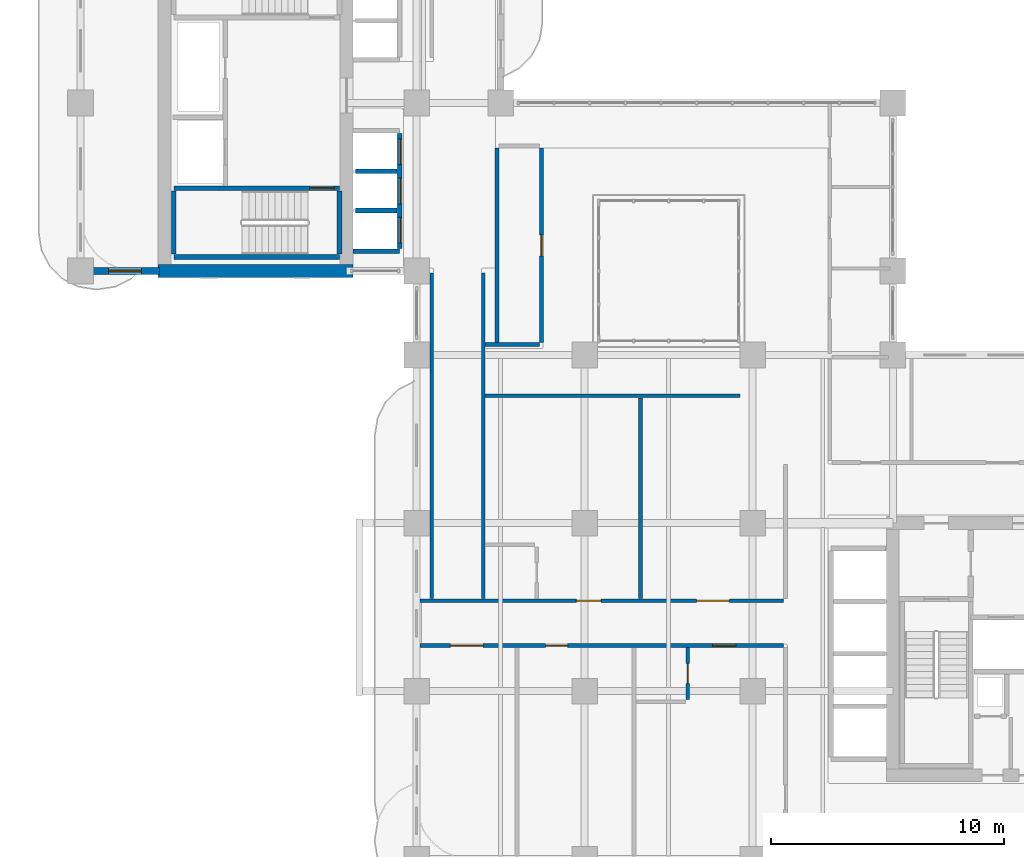
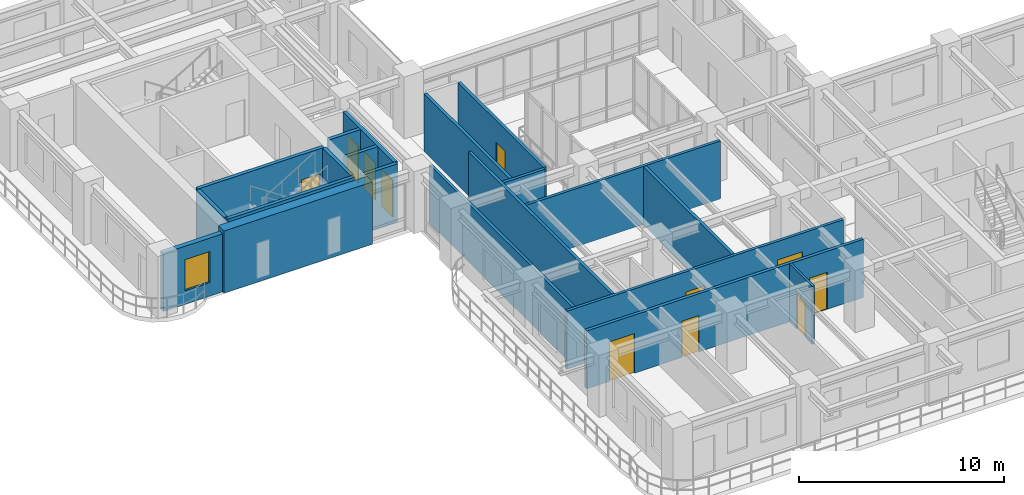
# One storey, part 12 of 22: 20 walls, 11 doors, 1 window, 12 openings.
"""IFC4 building model written with IfcOpenShell, lengths in metres."""

from ifc_helpers import new_model, si_unit, derived_unit, direction, frame, frame_2d, origin, place, context, subcontext, project, spatial, rectangle, extrude, source, transform, mapped, material, layer, layer_set, type_object, type_shapes, element, fill, save


model = new_model("IFC4")

# Units and contexts
model_context = context("Model", 3, precision=1e-05, world=origin(), true_north=direction((0.0, 1.0)))
body_context = subcontext(model_context, "Body", "Model", "MODEL_VIEW")
ifc_project = project(units=[si_unit("LENGTHUNIT", "METRE"), si_unit("AREAUNIT", "SQUARE_METRE"), si_unit("VOLUMEUNIT", "CUBIC_METRE"), si_unit("PLANEANGLEUNIT", "RADIAN"), si_unit("MASSUNIT", "GRAM", prefix="KILO"), si_unit("THERMODYNAMICTEMPERATUREUNIT", "KELVIN"), si_unit("POWERUNIT", "WATT"), derived_unit("THERMALTRANSMITTANCEUNIT", [(si_unit("POWERUNIT", "WATT"), 1), (si_unit("AREAUNIT", "SQUARE_METRE"), -1), (si_unit("THERMODYNAMICTEMPERATUREUNIT", "KELVIN"), -1)])], contexts=[model_context])

# Site, building, storey
site_placement = place(None, origin())
site = spatial("IfcSite", under=ifc_project, at=site_placement, CompositionType="ELEMENT")
building_placement = place(site_placement, origin())
building = spatial("IfcBuilding", under=site, at=building_placement, Name="Zahravan Archway Hotel and Residences", CompositionType="ELEMENT")
storey_placement = place(building_placement, frame((0.0, 0.0, 95.300048828125)))
storey = spatial("IfcBuildingStorey", under=building, at=storey_placement, Name="L23", CompositionType="ELEMENT", Elevation=95.300048828125)

# Wall
ifc_material_1 = material(Name="Concrete C70/85", Category="concrete")
ifc_layer_1 = layer(ifc_material_1, 0.550048828125, Name="Concrete C70/85", Category="concrete")
ifc_layer_set_1 = layer_set([ifc_layer_1], Name="Concrete C70/85")
wall_type_1 = type_object("IfcWallType", Name="CW-CORE-550", PredefinedType="SHEAR", material=ifc_layer_set_1)
wall_1_placement = place(storey_placement, frame((3.324951171875, 25.199951171875, 0.0), z_axis=(0.0, 0.0, 1.0), x_axis=(1.0, 0.0, 0.0)))
element("IfcWall", 1, at=wall_1_placement, inside=storey, type_object=wall_type_1, Name="L23 Core B Shear S Wall 550 mm", PredefinedType="SHEAR", context=body_context, shape_type="SweptSolid", body=[
    extrude(rectangle(XDim=8.35009765625, YDim=0.550048828125, at=frame_2d((4.175048828125, 0.0))), origin(), (0.0, 0.0, 1.0), 3.699951171875),
])

# Wall, opening, window
ifc_material_2 = material(Name="Honed Red-Ochre Sandstone & Insulated Block", Category="masonry")
ifc_layer_2 = layer(ifc_material_2, 0.280029296875, Name="Honed Red-Ochre Sandstone & Insulated Block", Category="masonry")
ifc_layer_set_2 = layer_set([ifc_layer_2], Name="Honed Red-Ochre Sandstone & Insulated Block")
wall_type_2 = type_object("IfcWallType", Name="EW-LOG-280", PredefinedType="SOLIDWALL", material=ifc_layer_set_2)
wall_2_placement = place(storey_placement, frame((0.0, 25.199951171875, 0.0), z_axis=(0.0, 0.0, 1.0), x_axis=(1.0, 0.0, 0.0)))
wall_2 = element("IfcWall", 2, at=wall_2_placement, inside=storey, type_object=wall_type_2, Name="L23 Exterior Sandstone Wall WB-SW", PredefinedType="SOLIDWALL", context=body_context, shape_type="SweptSolid", body=[
    extrude(rectangle(XDim=3.3798828125, YDim=0.280029296875, at=frame_2d((1.68994140625, 0.0))), origin(), (0.0, 0.0, 1.0), 3.449951171875),
])
opening_1_placement = place(wall_2_placement, frame((1.205078125, 0.0, 0.800048828125)))
opening_1 = element("IfcOpeningElement", 3, at=opening_1_placement, cuts=wall_2, Name="Opening W-03", PredefinedType="OPENING", context=body_context, shape_type="SweptSolid", body=[
    extrude(rectangle(XDim=1.39990234375, YDim=1.85009765625, at=frame_2d((0.699951171875, 0.925048828125))), frame((0.0, 0.14990234375, 0.0), z_axis=(0.0, -1.0, 0.0), x_axis=(1.0, 0.0, 0.0)), (0.0, 0.0, 1.0), 0.300048828125),
])
ifc_material_3 = material(Name="Bronze-Anodized Thermal-Break Aluminium & Low-E Glass", Category="aluminium")
window_type = type_object("IfcWindowType", Name="WIN-TWR-1400", PartitioningType="SINGLE_PANEL", PredefinedType="WINDOW", material=ifc_material_3)
shared_shape_1 = source(origin(), body_context, "Body", "SweptSolid", [
    extrude(rectangle(XDim=1.39990234375, YDim=1.85009765625, at=frame_2d((0.699951171875, 0.925048828125))), frame((0.0, 0.030029296875, 0.0), z_axis=(0.0, -1.0, 0.0), x_axis=(1.0, 0.0, 0.0)), (0.0, 0.0, 1.0), 0.06005859375),
])
type_shapes(window_type, [shared_shape_1])
window_placement = place(opening_1_placement, origin())
window = element("IfcWindow", 4, at=window_placement, inside=storey, type_object=window_type, Name="L23 Loggia Window 29", OverallHeight=1.85009765625, OverallWidth=1.39990234375, PartitioningType="SINGLE_PANEL", PredefinedType="WINDOW", context=body_context, shape_type="MappedRepresentation", body=[
    mapped(shared_shape_1, transform((0.0, 0.0, 0.0), scale=1.0)),
])
fill(opening_1, window)

# Wall, openings, doors
ifc_material_4 = material(Name="Fire-Rated Gypsum & Concrete Block", Category="concrete")
ifc_layer_3 = layer(ifc_material_4, 0.159912109375, Name="Fire-Rated Gypsum & Concrete Block", Category="concrete")
ifc_layer_set_3 = layer_set([ifc_layer_3], Name="Fire-Rated Gypsum & Concrete Block")
wall_type_3 = type_object("IfcWallType", Name="PW-CORR-160", PredefinedType="PARTITIONING", material=ifc_layer_set_3)
wall_3_placement = place(storey_placement, frame((14.548095703125, 11.070068359375, 0.0), z_axis=(0.0, 0.0, 1.0), x_axis=(1.0, 0.0, 0.0)))
wall_3 = element("IfcWall", 5, at=wall_3_placement, inside=storey, type_object=wall_type_3, Name="L23 Partition WA-CN", PredefinedType="PARTITIONING", context=body_context, shape_type="SweptSolid", body=[
    extrude(rectangle(XDim=15.56201171875, YDim=0.159912109375, at=frame_2d((7.781005859375, 0.0))), origin(), (0.0, 0.0, 1.0), 3.449951171875),
])
opening_2_placement = place(wall_3_placement, frame((6.701904296875, 0.0, 0.0)))
opening_2 = element("IfcOpeningElement", 6, at=opening_2_placement, cuts=wall_3, Name="Opening D-U1", PredefinedType="OPENING", context=body_context, shape_type="SweptSolid", body=[
    extrude(rectangle(XDim=1.050048828125, YDim=2.25, at=frame_2d((0.52490234375, 1.125))), frame((0.0, 0.08984375, 0.0), z_axis=(0.0, -1.0, 0.0), x_axis=(1.0, 0.0, 0.0)), (0.0, 0.0, 1.0), 0.179931640625),
])
opening_3_placement = place(wall_3_placement, frame((11.85205078125, 0.0, 0.0)))
opening_3 = element("IfcOpeningElement", 7, at=opening_3_placement, cuts=wall_3, Name="Opening D-P1", PredefinedType="OPENING", context=body_context, shape_type="SweptSolid", body=[
    extrude(rectangle(XDim=1.39990234375, YDim=2.35009765625, at=frame_2d((0.699951171875, 1.175048828125))), frame((0.0, 0.08984375, 0.0), z_axis=(0.0, -1.0, 0.0), x_axis=(1.0, 0.0, 0.0)), (0.0, 0.0, 1.0), 0.179931640625),
])
ifc_material_5 = material(Name="Bronze-Anodized Glazed Aluminium", Category="aluminium")
door_type_1 = type_object("IfcDoorType", Name="ID-PUBLIC-1400", OperationType="DOUBLE_DOOR_SINGLE_SWING", PredefinedType="DOOR", material=ifc_material_5)
shared_shape_2 = source(origin(), body_context, "Body", "SweptSolid", [
    extrude(rectangle(XDim=1.39990234375, YDim=2.35009765625, at=frame_2d((0.699951171875, 1.175048828125))), frame((0.0, 0.02490234375, 0.0), z_axis=(0.0, -1.0, 0.0), x_axis=(1.0, 0.0, 0.0)), (0.0, 0.0, 1.0), 0.050048828125),
])
type_shapes(door_type_1, [shared_shape_2])
door_1_placement = place(opening_3_placement, origin())
door_1 = element("IfcDoor", 8, at=door_1_placement, inside=storey, type_object=door_type_1, Name="L23 Atrium Dining Door", OperationType="DOUBLE_DOOR_SINGLE_SWING", OverallHeight=2.35009765625, OverallWidth=1.39990234375, PredefinedType="DOOR", context=body_context, shape_type="MappedRepresentation", body=[
    mapped(shared_shape_2, transform((0.0, 0.0, 0.0), scale=1.0)),
])
fill(opening_3, door_1)
ifc_material_6 = material(Name="Hardwood Veneer Timber", Category="wood")
door_type_2 = type_object("IfcDoorType", Name="ID-UNIT-1050", OperationType="NOTDEFINED", PredefinedType="DOOR", material=ifc_material_6)
shared_shape_3 = source(origin(), body_context, "Body", "SweptSolid", [
    extrude(rectangle(XDim=1.050048828125, YDim=2.25, at=frame_2d((0.52490234375, 1.125))), frame((0.0, 0.02490234375, 0.0), z_axis=(0.0, -1.0, 0.0), x_axis=(1.0, 0.0, 0.0)), (0.0, 0.0, 1.0), 0.050048828125),
])
type_shapes(door_type_2, [shared_shape_3])
door_2_placement = place(opening_2_placement, origin())
door_2 = element("IfcDoor", 9, at=door_2_placement, inside=storey, type_object=door_type_2, Name="L23 Hotel Guestroom 52 Entrance Door", OperationType="SINGLE_SWING_RIGHT", OverallHeight=2.25, OverallWidth=1.050048828125, PredefinedType="DOOR", context=body_context, shape_type="MappedRepresentation", body=[
    mapped(shared_shape_3, transform((0.0, 0.0, 0.0), scale=1.0)),
])
fill(opening_2, door_2)

# Walls
for number, where, z_axis, x_axis, name in (
    (10, (15.050048828125, 11.159912109375, 0.0), (0.0, 0.0, 1.0), (0.0, 1.0, 0.0), "L23 Partition LNK-W"),
    (11, (17.25, 11.159912109375, 0.0), (0.0, 0.0, 1.0), (0.0, 1.0, 0.0), "L23 Partition LNK-E"),
):
    element("IfcWall", number, at=place(storey_placement, frame(where, z_axis=z_axis, x_axis=x_axis)), inside=storey, type_object=wall_type_3, Name=name, PredefinedType="PARTITIONING", context=body_context, shape_type="SweptSolid", body=[
        extrude(rectangle(XDim=13.9501953125, YDim=0.159912109375, at=frame_2d((6.97509765625, 0.0))), origin(), (0.0, 0.0, 1.0), 3.449951171875),
    ])
wall_4_placement = place(storey_placement, frame((17.340087890625, 19.85009765625, 0.0), z_axis=(0.0, 0.0, 1.0), x_axis=(1.0, 0.0, 0.0)))
element("IfcWall", 12, at=wall_4_placement, inside=storey, type_object=wall_type_3, Name="L23 Partition ATR-S", PredefinedType="PARTITIONING", context=body_context, shape_type="SweptSolid", body=[
    extrude(rectangle(XDim=10.919921875, YDim=0.159912109375, at=frame_2d((5.4599609375, 0.0))), origin(), (0.0, 0.0, 1.0), 3.449951171875),
])

# Wall, openings, doors
ifc_layer_4 = layer(ifc_material_4, 0.179931640625, Name="Fire-Rated Gypsum & Concrete Block", Category="concrete")
ifc_layer_set_4 = layer_set([ifc_layer_4], Name="Fire-Rated Gypsum & Concrete Block")
wall_type_4 = type_object("IfcWallType", Name="PW-CORR-180", PredefinedType="PARTITIONING", material=ifc_layer_set_4)
wall_5_placement = place(storey_placement, frame((14.548095703125, 9.14990234375, 0.0), z_axis=(0.0, 0.0, 1.0), x_axis=(1.0, 0.0, 0.0)))
wall_5 = element("IfcWall", 13, at=wall_5_placement, inside=storey, type_object=wall_type_4, Name="L23 Partition WA-CS", PredefinedType="PARTITIONING", context=body_context, shape_type="SweptSolid", body=[
    extrude(rectangle(XDim=15.56201171875, YDim=0.179931640625, at=frame_2d((7.781005859375, 0.0))), origin(), (0.0, 0.0, 1.0), 3.449951171875),
])
opening_4_placement = place(wall_5_placement, frame((1.302001953125, 0.0, 0.0)))
opening_4 = element("IfcOpeningElement", 14, at=opening_4_placement, cuts=wall_5, Name="Opening D-P1", PredefinedType="OPENING", context=body_context, shape_type="SweptSolid", body=[
    extrude(rectangle(XDim=1.39990234375, YDim=2.35009765625, at=frame_2d((0.699951171875, 1.175048828125))), frame((0.0, 0.10009765625, 0.0), z_axis=(0.0, -1.0, 0.0), x_axis=(1.0, 0.0, 0.0)), (0.0, 0.0, 1.0), 0.199951171875),
])
opening_5_placement = place(wall_5_placement, frame((5.375, 0.0, 0.0)))
opening_5 = element("IfcOpeningElement", 15, at=opening_5_placement, cuts=wall_5, Name="Opening D-I1", PredefinedType="OPENING", context=body_context, shape_type="SweptSolid", body=[
    extrude(rectangle(XDim=0.949951171875, YDim=2.14990234375, at=frame_2d((0.47509765625, 1.074951171875))), frame((0.0, 0.10009765625, 0.0), z_axis=(0.0, -1.0, 0.0), x_axis=(1.0, 0.0, 0.0)), (0.0, 0.0, 1.0), 0.199951171875),
])
opening_6_placement = place(wall_5_placement, frame((12.532958984375, 0.0, 0.0)))
opening_6 = element("IfcOpeningElement", 16, at=opening_6_placement, cuts=wall_5, Name="Opening D-U2", PredefinedType="OPENING", context=body_context, shape_type="SweptSolid", body=[
    extrude(rectangle(XDim=1.0, YDim=2.199951171875, at=frame_2d((0.5, 1.10009765625))), frame((0.0, 0.10009765625, 0.0), z_axis=(0.0, -1.0, 0.0), x_axis=(1.0, 0.0, 0.0)), (0.0, 0.0, 1.0), 0.199951171875),
])
door_3_placement = place(opening_4_placement, origin())
door_3 = element("IfcDoor", 17, at=door_3_placement, inside=storey, type_object=door_type_1, Name="L23 West Majlis Door", OperationType="DOUBLE_DOOR_SINGLE_SWING", OverallHeight=2.35009765625, OverallWidth=1.39990234375, PredefinedType="DOOR", context=body_context, shape_type="MappedRepresentation", body=[
    mapped(shared_shape_2, transform((0.0, 0.0, 0.0), scale=1.0)),
])
fill(opening_4, door_3)
door_type_3 = type_object("IfcDoorType", Name="ID-INT-950", OperationType="NOTDEFINED", PredefinedType="DOOR", material=ifc_material_6)
shared_shape_4 = source(origin(), body_context, "Body", "SweptSolid", [
    extrude(rectangle(XDim=0.949951171875, YDim=2.14990234375, at=frame_2d((0.47509765625, 1.074951171875))), frame((0.0, 0.02490234375, 0.0), z_axis=(0.0, -1.0, 0.0), x_axis=(1.0, 0.0, 0.0)), (0.0, 0.0, 1.0), 0.050048828125),
])
type_shapes(door_type_3, [shared_shape_4])
door_4_placement = place(opening_5_placement, origin())
door_4 = element("IfcDoor", 18, at=door_4_placement, inside=storey, type_object=door_type_3, Name="L23 Boardroom Door", OperationType="SINGLE_SWING_LEFT", OverallHeight=2.14990234375, OverallWidth=0.949951171875, PredefinedType="DOOR", context=body_context, shape_type="MappedRepresentation", body=[
    mapped(shared_shape_4, transform((0.0, 0.0, 0.0), scale=1.0)),
])
fill(opening_5, door_4)
door_type_4 = type_object("IfcDoorType", Name="ID-UNIT-1000", OperationType="NOTDEFINED", PredefinedType="DOOR", material=ifc_material_6)
shared_shape_5 = source(origin(), body_context, "Body", "SweptSolid", [
    extrude(rectangle(XDim=1.0, YDim=2.199951171875, at=frame_2d((0.5, 1.10009765625))), frame((0.0, 0.02490234375, 0.0), z_axis=(0.0, -1.0, 0.0), x_axis=(1.0, 0.0, 0.0)), (0.0, 0.0, 1.0), 0.050048828125),
])
type_shapes(door_type_4, [shared_shape_5])
door_5_placement = place(opening_6_placement, origin())
door_5 = element("IfcDoor", 19, at=door_5_placement, inside=storey, type_object=door_type_4, Name="L23 Hotel Guestroom 21 Entrance Door", OperationType="SINGLE_SWING_LEFT", OverallHeight=2.199951171875, OverallWidth=1.0, PredefinedType="DOOR", context=body_context, shape_type="MappedRepresentation", body=[
    mapped(shared_shape_5, transform((0.0, 0.0, 0.0), scale=1.0)),
])
fill(opening_6, door_5)

# Wall
ifc_layer_5 = layer(ifc_material_4, 0.199951171875, Name="Fire-Rated Gypsum & Concrete Block", Category="concrete")
ifc_layer_set_5 = layer_set([ifc_layer_5], Name="Fire-Rated Gypsum & Concrete Block")
wall_type_5 = type_object("IfcWallType", Name="PW-SHAFT-200", PredefinedType="PARTITIONING", material=ifc_layer_set_5)
wall_6_placement = place(storey_placement, frame((11.68505859375, 26.050048828125, 0.0), z_axis=(0.0, 0.0, 1.0), x_axis=(1.0, 0.0, 0.0)))
element("IfcWall", 20, at=wall_6_placement, inside=storey, type_object=wall_type_5, Name="L23 Partition B1-S", PredefinedType="PARTITIONING", context=body_context, shape_type="SweptSolid", body=[
    extrude(rectangle(XDim=1.98486328125, YDim=0.199951171875, at=frame_2d((0.992431640625, 0.0))), origin(), (0.0, 0.0, 1.0), 3.449951171875),
])

# Wall, openings, doors
wall_7_placement = place(storey_placement, frame((13.679931640625, 26.159912109375, 0.0), z_axis=(0.0, 0.0, 1.0), x_axis=(0.0, 1.0, 0.0)))
wall_7 = element("IfcWall", 21, at=wall_7_placement, inside=storey, type_object=wall_type_5, Name="L23 Partition B1-E", PredefinedType="PARTITIONING", context=body_context, shape_type="SweptSolid", body=[
    extrude(rectangle(XDim=4.940185546875, YDim=0.199951171875, at=frame_2d((2.47021484375, 0.0))), origin(), (0.0, 0.0, 1.0), 3.449951171875),
])
opening_7_placement = place(wall_7_placement, frame((0.239990234375, 0.0, 0.0)))
opening_7 = element("IfcOpeningElement", 22, at=opening_7_placement, cuts=wall_7, Name="Opening LD", PredefinedType="OPENING", context=body_context, shape_type="SweptSolid", body=[
    extrude(rectangle(XDim=1.10009765625, YDim=2.199951171875, at=frame_2d((0.550048828125, 1.10009765625))), frame((0.0, 0.10986328125, 0.0), z_axis=(0.0, -1.0, 0.0), x_axis=(1.0, 0.0, 0.0)), (0.0, 0.0, 1.0), 0.219970703125),
])
opening_8_placement = place(wall_7_placement, frame((1.919921875, 0.0, 0.0)))
opening_8 = element("IfcOpeningElement", 23, at=opening_8_placement, cuts=wall_7, Name="Opening LD", PredefinedType="OPENING", context=body_context, shape_type="SweptSolid", body=[
    extrude(rectangle(XDim=1.10009765625, YDim=2.199951171875, at=frame_2d((0.550048828125, 1.10009765625))), frame((0.0, 0.10986328125, 0.0), z_axis=(0.0, -1.0, 0.0), x_axis=(1.0, 0.0, 0.0)), (0.0, 0.0, 1.0), 0.219970703125),
])
opening_9_placement = place(wall_7_placement, frame((3.60009765625, 0.0, 0.0)))
opening_9 = element("IfcOpeningElement", 24, at=opening_9_placement, cuts=wall_7, Name="Opening LD", PredefinedType="OPENING", context=body_context, shape_type="SweptSolid", body=[
    extrude(rectangle(XDim=1.10009765625, YDim=2.199951171875, at=frame_2d((0.550048828125, 1.10009765625))), frame((0.0, 0.10986328125, 0.0), z_axis=(0.0, -1.0, 0.0), x_axis=(1.0, 0.0, 0.0)), (0.0, 0.0, 1.0), 0.219970703125),
])
ifc_material_7 = material(Name="Brushed Stainless Steel", Category="steel")
door_type_5 = type_object("IfcDoorType", Name="DR-LIFT-LD", OperationType="SLIDING_TO_LEFT", PredefinedType="DOOR", material=ifc_material_7)
shared_shape_6 = source(origin(), body_context, "Body", "SweptSolid", [
    extrude(rectangle(XDim=1.10009765625, YDim=2.199951171875, at=frame_2d((0.550048828125, 1.10009765625))), frame((0.0, 0.02490234375, 0.0), z_axis=(0.0, -1.0, 0.0), x_axis=(1.0, 0.0, 0.0)), (0.0, 0.0, 1.0), 0.050048828125),
])
type_shapes(door_type_5, [shared_shape_6])
door_6_placement = place(opening_7_placement, origin())
door_6 = element("IfcDoor", 25, at=door_6_placement, inside=storey, type_object=door_type_5, Name="L23 Lift LP-1 Sliding Landing Door", OperationType="SLIDING_TO_LEFT", OverallHeight=2.199951171875, OverallWidth=1.10009765625, PredefinedType="DOOR", context=body_context, shape_type="MappedRepresentation", body=[
    mapped(shared_shape_6, transform((0.0, 0.0, 0.0), scale=1.0)),
])
fill(opening_7, door_6)
door_7_placement = place(opening_8_placement, origin())
door_7 = element("IfcDoor", 26, at=door_7_placement, inside=storey, type_object=door_type_5, Name="L23 Lift LP-2 Sliding Landing Door", OperationType="SLIDING_TO_LEFT", OverallHeight=2.199951171875, OverallWidth=1.10009765625, PredefinedType="DOOR", context=body_context, shape_type="MappedRepresentation", body=[
    mapped(shared_shape_6, transform((0.0, 0.0, 0.0), scale=1.0)),
])
fill(opening_8, door_7)
door_8_placement = place(opening_9_placement, origin())
door_8 = element("IfcDoor", 27, at=door_8_placement, inside=storey, type_object=door_type_5, Name="L23 Lift LP-3 Sliding Landing Door", OperationType="SLIDING_TO_LEFT", OverallHeight=2.199951171875, OverallWidth=1.10009765625, PredefinedType="DOOR", context=body_context, shape_type="MappedRepresentation", body=[
    mapped(shared_shape_6, transform((0.0, 0.0, 0.0), scale=1.0)),
])
fill(opening_9, door_8)

# Walls
for number, where, z_axis, x_axis, name in (
    (28, (11.784912109375, 27.7900390625, 0.0), (0.0, 0.0, 1.0), (1.0, 0.0, 0.0), "L23 Partition B1-D"),
    (29, (11.784912109375, 29.469970703125, 0.0), (0.0, 0.0, 1.0), (1.0, 0.0, 0.0), "L23 Partition B1-D"),
):
    element("IfcWall", number, at=place(storey_placement, frame(where, z_axis=z_axis, x_axis=x_axis)), inside=storey, type_object=wall_type_5, Name=name, PredefinedType="PARTITIONING", context=body_context, shape_type="SweptSolid", body=[
        extrude(rectangle(XDim=1.78515625, YDim=0.199951171875, at=frame_2d((0.892578125, 0.0))), origin(), (0.0, 0.0, 1.0), 3.449951171875),
    ])
ifc_material_8 = material(Name="Acoustic Stud Partition")
ifc_layer_6 = layer(ifc_material_8, 0.169921875, Name="Acoustic Stud Partition")
ifc_layer_set_6 = layer_set([ifc_layer_6], Name="Acoustic Stud Partition")
wall_type_6 = type_object("IfcWallType", Name="PW-UNIT-170", PredefinedType="PARTITIONING", material=ifc_layer_set_6)
wall_8_placement = place(storey_placement, frame((17.340087890625, 22.050048828125, 0.0), z_axis=(0.0, 0.0, 1.0), x_axis=(1.0, 0.0, 0.0)))
element("IfcWall", 30, at=wall_8_placement, inside=storey, type_object=wall_type_6, Name="L23 Partition ATR-WLS", PredefinedType="PARTITIONING", context=body_context, shape_type="SweptSolid", body=[
    extrude(rectangle(XDim=2.31982421875, YDim=0.169921875, at=frame_2d((1.159912109375, 0.0))), origin(), (0.0, 0.0, 1.0), 3.449951171875),
])
wall_9_placement = place(storey_placement, frame((17.85009765625, 22.139892578125, 0.0), z_axis=(0.0, 0.0, 1.0), x_axis=(0.0, 1.0, 0.0)))
element("IfcWall", 31, at=wall_9_placement, inside=storey, type_object=wall_type_6, Name="L23 Partition ATR-WLW", PredefinedType="PARTITIONING", context=body_context, shape_type="SweptSolid", body=[
    extrude(rectangle(XDim=8.320068359375, YDim=0.169921875, at=frame_2d((4.16015625, 0.0))), origin(), (0.0, 0.0, 1.0), 3.449951171875),
])

# Wall, opening, door
wall_10_placement = place(storey_placement, frame((19.75, 22.139892578125, 0.0), z_axis=(0.0, 0.0, 1.0), x_axis=(0.0, 1.0, 0.0)))
wall_10 = element("IfcWall", 32, at=wall_10_placement, inside=storey, type_object=wall_type_6, Name="L23 Partition ATR-WL", PredefinedType="PARTITIONING", context=body_context, shape_type="SweptSolid", body=[
    extrude(rectangle(XDim=8.320068359375, YDim=0.169921875, at=frame_2d((4.16015625, 0.0))), origin(), (0.0, 0.0, 1.0), 3.449951171875),
])
opening_10_placement = place(wall_10_placement, frame((3.7099609375, 0.0, 0.0)))
opening_10 = element("IfcOpeningElement", 33, at=opening_10_placement, cuts=wall_10, Name="Opening D-I2", PredefinedType="OPENING", context=body_context, shape_type="SweptSolid", body=[
    extrude(rectangle(XDim=0.89990234375, YDim=2.14990234375, at=frame_2d((0.449951171875, 1.074951171875))), frame((0.0, 0.094970703125, 0.0), z_axis=(0.0, -1.0, 0.0), x_axis=(1.0, 0.0, 0.0)), (0.0, 0.0, 1.0), 0.18994140625),
])
door_type_6 = type_object("IfcDoorType", Name="ID-INT-900", OperationType="NOTDEFINED", PredefinedType="DOOR", material=ifc_material_6)
shared_shape_7 = source(origin(), body_context, "Body", "SweptSolid", [
    extrude(rectangle(XDim=0.89990234375, YDim=2.14990234375, at=frame_2d((0.449951171875, 1.074951171875))), frame((0.0, 0.02490234375, 0.0), z_axis=(0.0, -1.0, 0.0), x_axis=(1.0, 0.0, 0.0)), (0.0, 0.0, 1.0), 0.050048828125),
])
type_shapes(door_type_6, [shared_shape_7])
door_9_placement = place(opening_10_placement, origin())
door_9 = element("IfcDoor", 34, at=door_9_placement, inside=storey, type_object=door_type_6, Name="L23 Atrium West Alcove Door", OperationType="SINGLE_SWING_LEFT", OverallHeight=2.14990234375, OverallWidth=0.89990234375, PredefinedType="DOOR", context=body_context, shape_type="MappedRepresentation", body=[
    mapped(shared_shape_7, transform((0.0, 0.0, 0.0), scale=1.0)),
])
fill(opening_10, door_9)

# Wall
wall_11_placement = place(storey_placement, frame((24.0, 11.159912109375, 0.0), z_axis=(0.0, 0.0, 1.0), x_axis=(0.0, 1.0, 0.0)))
element("IfcWall", 35, at=wall_11_placement, inside=storey, type_object=wall_type_6, Name="L23 Partition ATN-3", PredefinedType="PARTITIONING", context=body_context, shape_type="SweptSolid", body=[
    extrude(rectangle(XDim=8.60009765625, YDim=0.169921875, at=frame_2d((4.300048828125, 0.0))), origin(), (0.0, 0.0, 1.0), 3.449951171875),
])

# Wall, opening, door
ifc_material_9 = material(Name="Moisture-Resistant Blockwork", Category="masonry")
ifc_layer_7 = layer(ifc_material_9, 0.139892578125, Name="Moisture-Resistant Blockwork", Category="masonry")
ifc_layer_set_7 = layer_set([ifc_layer_7], Name="Moisture-Resistant Blockwork")
wall_type_7 = type_object("IfcWallType", Name="PW-WET-140", PredefinedType="PARTITIONING", material=ifc_layer_set_7)
wall_12_placement = place(storey_placement, frame((26.02001953125, 6.840087890625, 0.0), z_axis=(0.0, 0.0, 1.0), x_axis=(0.0, 1.0, 0.0)))
wall_12 = element("IfcWall", 36, at=wall_12_placement, inside=storey, type_object=wall_type_7, Name="L23 Partition HKB-V21", PredefinedType="PARTITIONING", context=body_context, shape_type="SweptSolid", body=[
    extrude(rectangle(XDim=2.219970703125, YDim=0.139892578125, at=frame_2d((1.10986328125, 0.0))), origin(), (0.0, 0.0, 1.0), 3.449951171875),
])
opening_11_placement = place(wall_12_placement, frame((0.68505859375, 0.0, 0.0)))
opening_11 = element("IfcOpeningElement", 37, at=opening_11_placement, cuts=wall_12, Name="Opening D-B1", PredefinedType="OPENING", context=body_context, shape_type="SweptSolid", body=[
    extrude(rectangle(XDim=0.85009765625, YDim=2.10009765625, at=frame_2d((0.425048828125, 1.050048828125))), frame((0.0, 0.080078125, 0.0), z_axis=(0.0, -1.0, 0.0), x_axis=(1.0, 0.0, 0.0)), (0.0, 0.0, 1.0), 0.159912109375),
])
door_type_7 = type_object("IfcDoorType", Name="ID-BATH-850", OperationType="NOTDEFINED", PredefinedType="DOOR", material=ifc_material_6)
shared_shape_8 = source(origin(), body_context, "Body", "SweptSolid", [
    extrude(rectangle(XDim=0.85009765625, YDim=2.10009765625, at=frame_2d((0.425048828125, 1.050048828125))), frame((0.0, 0.02490234375, 0.0), z_axis=(0.0, -1.0, 0.0), x_axis=(1.0, 0.0, 0.0)), (0.0, 0.0, 1.0), 0.050048828125),
])
type_shapes(door_type_7, [shared_shape_8])
door_10_placement = place(opening_11_placement, origin())
door_10 = element("IfcDoor", 38, at=door_10_placement, inside=storey, type_object=door_type_7, Name="L23 Guestroom 21 En-Suite Door", OperationType="SINGLE_SWING_RIGHT", OverallHeight=2.10009765625, OverallWidth=0.85009765625, PredefinedType="DOOR", context=body_context, shape_type="MappedRepresentation", body=[
    mapped(shared_shape_8, transform((0.0, 0.0, 0.0), scale=1.0)),
])
fill(opening_11, door_10)

# Walls
ifc_material_10 = material(Name="Concrete C50/60", Category="concrete")
ifc_layer_8 = layer(ifc_material_10, 0.199951171875, Name="Concrete C50/60", Category="concrete")
ifc_layer_set_8 = layer_set([ifc_layer_8], Name="Concrete C50/60")
wall_type_8 = type_object("IfcWallType", Name="SW-STAIR-200", PredefinedType="SHEAR", material=ifc_layer_set_8)
wall_13_placement = place(storey_placement, frame((4.0, 25.800048828125, 0.0), z_axis=(0.0, 0.0, 1.0), x_axis=(1.0, 0.0, 0.0)))
element("IfcWall", 39, at=wall_13_placement, inside=storey, type_object=wall_type_8, Name="L23 Stairwell RC Wall CB-SB1S", PredefinedType="SHEAR", context=body_context, shape_type="SweptSolid", body=[
    extrude(rectangle(XDim=7.10009765625, YDim=0.199951171875, at=frame_2d((3.550048828125, 0.0))), origin(), (0.0, 0.0, 1.0), 3.699951171875),
])
for number, where, z_axis, x_axis, name in (
    (40, (4.0, 25.919921875, 0.0), (0.0, 0.0, 1.0), (0.0, 1.0, 0.0), "L23 Stairwell RC Wall CB-SB1W"),
    (41, (11.10009765625, 25.919921875, 0.0), (0.0, 0.0, 1.0), (0.0, 1.0, 0.0), "L23 Stairwell RC Wall CB-SB1E"),
):
    element("IfcWall", number, at=place(storey_placement, frame(where, z_axis=z_axis, x_axis=x_axis)), inside=storey, type_object=wall_type_8, Name=name, PredefinedType="SHEAR", context=body_context, shape_type="SweptSolid", body=[
        extrude(rectangle(XDim=2.7001953125, YDim=0.199951171875, at=frame_2d((1.35009765625, 0.0))), origin(), (0.0, 0.0, 1.0), 3.699951171875),
    ])

# Wall, opening, door
wall_14_placement = place(storey_placement, frame((4.0, 28.739990234375, 0.0), z_axis=(0.0, 0.0, 1.0), x_axis=(1.0, 0.0, 0.0)))
wall_14 = element("IfcWall", 42, at=wall_14_placement, inside=storey, type_object=wall_type_8, Name="L23 Stairwell RC Wall CB-SB1N", PredefinedType="SHEAR", context=body_context, shape_type="SweptSolid", body=[
    extrude(rectangle(XDim=7.10009765625, YDim=0.199951171875, at=frame_2d((3.550048828125, 0.0))), origin(), (0.0, 0.0, 1.0), 3.699951171875),
])
opening_12_placement = place(wall_14_placement, frame((5.81494140625, 0.0, 0.0)))
opening_12 = element("IfcOpeningElement", 43, at=opening_12_placement, cuts=wall_14, Name="Opening FD-S1", PredefinedType="OPENING", context=body_context, shape_type="SweptSolid", body=[
    extrude(rectangle(XDim=1.050048828125, YDim=2.199951171875, at=frame_2d((0.52490234375, 1.10009765625))), frame((0.0, 0.10986328125, 0.0), z_axis=(0.0, -1.0, 0.0), x_axis=(1.0, 0.0, 0.0)), (0.0, 0.0, 1.0), 0.219970703125),
])
ifc_material_11 = material(Name="Fire-Rated Painted Steel", Category="steel")
door_type_8 = type_object("IfcDoorType", Name="FD-STAIR-1100", OperationType="NOTDEFINED", PredefinedType="DOOR", material=ifc_material_11)
shared_shape_9 = source(origin(), body_context, "Body", "SweptSolid", [
    extrude(rectangle(XDim=1.050048828125, YDim=2.199951171875, at=frame_2d((0.52490234375, 1.10009765625))), frame((0.0, 0.02490234375, 0.0), z_axis=(0.0, -1.0, 0.0), x_axis=(1.0, 0.0, 0.0)), (0.0, 0.0, 1.0), 0.050048828125),
])
type_shapes(door_type_8, [shared_shape_9])
door_11_placement = place(opening_12_placement, origin())
door_11 = element("IfcDoor", 44, at=door_11_placement, inside=storey, type_object=door_type_8, Name="L23 Stair ST-B1 Door", OperationType="SINGLE_SWING_LEFT", OverallHeight=2.199951171875, OverallWidth=1.050048828125, PredefinedType="DOOR", context=body_context, shape_type="MappedRepresentation", body=[
    mapped(shared_shape_9, transform((0.0, 0.0, 0.0), scale=1.0)),
])
fill(opening_12, door_11)

save(model, "model.ifc")
